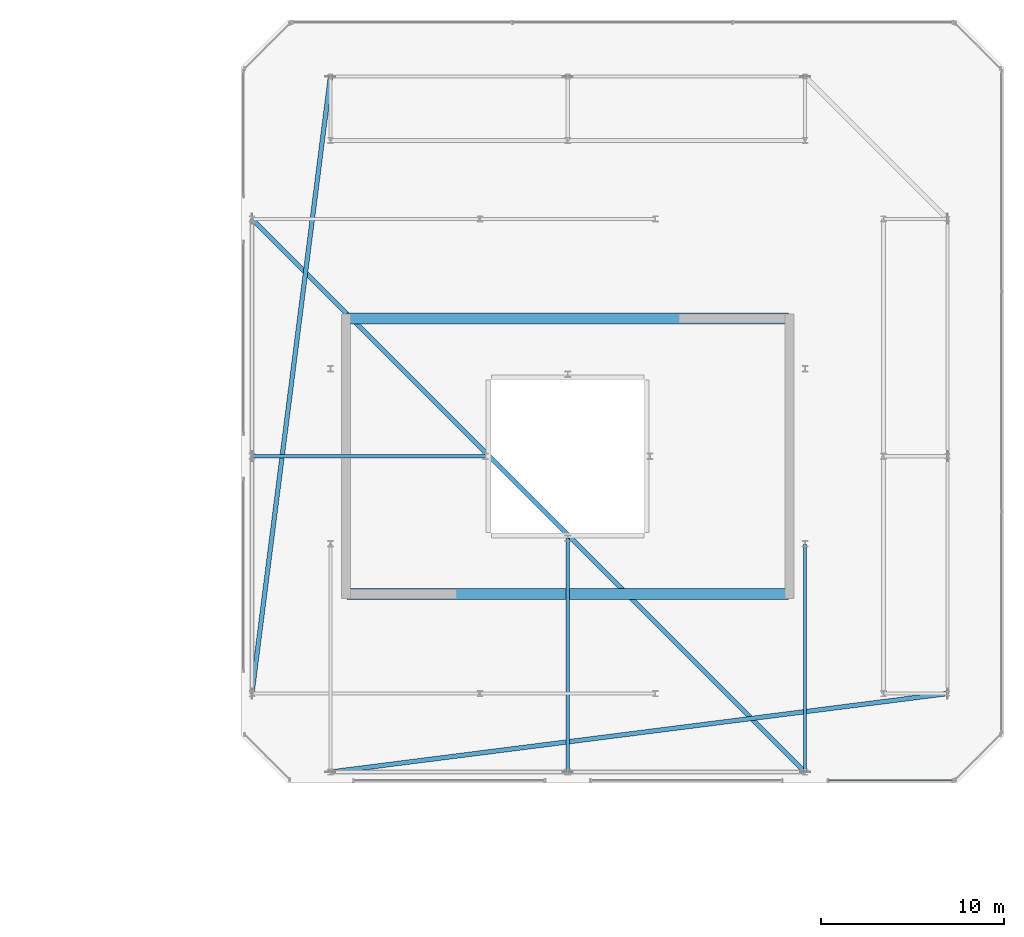
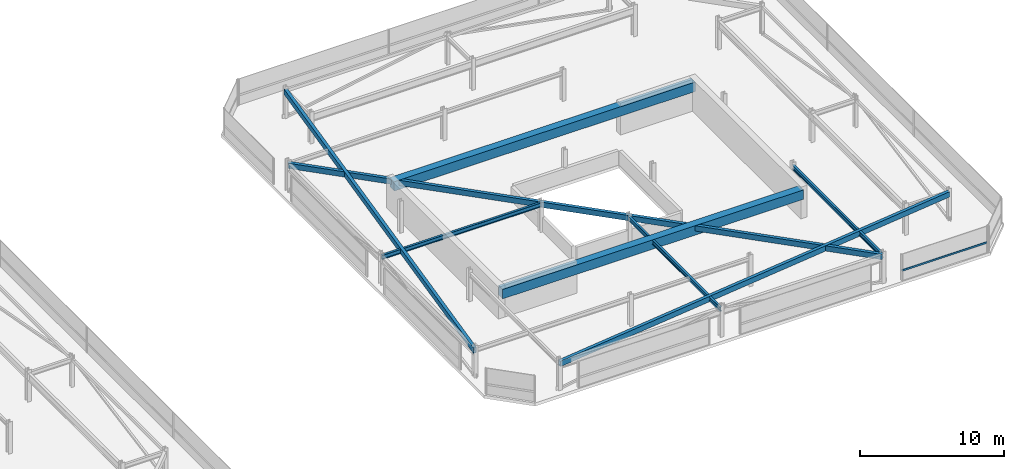
# One storey, part 32 of 44: 8 beams, 1 member, 1 element without a shape of its own.
"""IFC4 building model written with IfcOpenShell, lengths in metres."""

from ifc_helpers import new_model, si_unit, direction, frame, origin, origin_2d, place, context, subcontext, project, spatial, rectangle, hollow_rectangle, i_section, extrude, material, material_profile, profile_set, type_object, element, aggregate, save


model = new_model("IFC4")

# Units and contexts
model_context = context("Model", 3, precision=1e-05, world=origin(), true_north=direction((0.0, 1.0)))
body_context = subcontext(model_context, "Body", "Model", "MODEL_VIEW")
ifc_project = project(units=[si_unit("LENGTHUNIT", "METRE"), si_unit("AREAUNIT", "SQUARE_METRE"), si_unit("VOLUMEUNIT", "CUBIC_METRE"), si_unit("PLANEANGLEUNIT", "RADIAN"), si_unit("MASSUNIT", "GRAM", prefix="KILO")], contexts=[model_context])

# Site, building, storey
site_placement = place(None, origin())
site = spatial("IfcSite", under=ifc_project, at=site_placement, CompositionType="ELEMENT")
building_placement = place(site_placement, origin())
building = spatial("IfcBuilding", under=site, at=building_placement, Name="Thornwick Lancets Civic Towers", CompositionType="ELEMENT")
storey_placement = place(building_placement, frame((0.0, 0.0, 294.89990234375)))
storey = spatial("IfcBuildingStorey", under=building, at=storey_placement, Name="C06", CompositionType="ELEMENT", Elevation=294.89990234375)

# Beams
ifc_material_1 = material(Name="Concrete C60/75", Category="concrete")
ifc_material_profile_1 = material_profile(ifc_material_1, rectangle(XDim=0.60009765625, YDim=0.800048828125, at=origin_2d()), Name="RC 600x800")
ifc_profile_set_1 = profile_set([ifc_material_profile_1], Name="Concrete C60/75")
beam_type_1 = type_object("IfcBeamType", Name="BM_COUP_RC800", PredefinedType="BEAM", material=ifc_profile_set_1)
for number, where, z_axis, x_axis, name in (
    (1, (76.39990234375, 34.550048828125, 2.0400390625), (1.0, 0.0, 0.0), (0.0, 1.0, 0.0), "CB-C06-B1"),
    (2, (76.39990234375, 19.449951171875, 2.0400390625), (1.0, 0.0, 0.0), (0.0, 1.0, 0.0), "CB-C06-B2"),
):
    element("IfcBeam", number, at=place(storey_placement, frame(where, z_axis=z_axis, x_axis=x_axis)), inside=storey, type_object=beam_type_1, Name=name, PredefinedType="BEAM", context=body_context, shape_type="SweptSolid", body=[
        extrude(rectangle(XDim=0.60009765625, YDim=0.800048828125, at=origin_2d()), origin(), (0.0, 0.0, 1.0), 24.2001953125),
    ])
ifc_material_2 = material(Name="Steel S355JR", Category="steel")
ifc_material_profile_2 = material_profile(ifc_material_2, i_section(OverallWidth=0.173095703125, OverallDepth=0.36328125, WebThickness=0.009033203125, FlangeThickness=0.015625, FilletRadius=0.01025390625, at=origin_2d()), Name="UKB 356x171x67")
ifc_profile_set_2 = profile_set([ifc_material_profile_2], Name="Steel S355JR")
beam_type_2 = type_object("IfcBeamType", Name="BM_JOIST_356_67", PredefinedType="JOIST", material=ifc_profile_set_2)
beam_1_placement = place(storey_placement, frame((84.0, 27.0, 2.25830078125), z_axis=(-1.0, 0.0, 0.0), x_axis=(0.0, -1.0, 0.0)))
element("IfcBeam", 3, at=beam_1_placement, inside=storey, type_object=beam_type_2, Name="BM-RADIN-C06-B08", PredefinedType="JOIST", context=body_context, shape_type="SweptSolid", body=[
    extrude(i_section(OverallWidth=0.173095703125, OverallDepth=0.36328125, WebThickness=0.009033203125, FlangeThickness=0.015625, FilletRadius=0.01025390625, at=origin_2d()), origin(), (0.0, 0.0, 1.0), 12.800048828125),
])
beam_2_placement = place(storey_placement, frame((101.5, 22.199951171875, 2.25830078125), z_axis=(0.0, -1.0, 0.0), x_axis=(1.0, 0.0, 0.0)))
element("IfcBeam", 4, at=beam_2_placement, inside=storey, type_object=beam_type_2, Name="BM-RADIN-C06-B10", PredefinedType="JOIST", context=body_context, shape_type="SweptSolid", body=[
    extrude(i_section(OverallWidth=0.173095703125, OverallDepth=0.36328125, WebThickness=0.009033203125, FlangeThickness=0.015625, FilletRadius=0.01025390625, at=origin_2d()), origin(), (0.0, 0.0, 1.0), 12.5),
])
beam_3_placement = place(storey_placement, frame((88.5, 22.5, 2.25830078125), z_axis=(0.0, -1.0, 0.0), x_axis=(1.0, 0.0, 0.0)))
element("IfcBeam", 5, at=beam_3_placement, inside=storey, type_object=beam_type_2, Name="BM-RADIN-C06-B11", PredefinedType="JOIST", context=body_context, shape_type="SweptSolid", body=[
    extrude(i_section(OverallWidth=0.173095703125, OverallDepth=0.36328125, WebThickness=0.009033203125, FlangeThickness=0.015625, FilletRadius=0.01025390625, at=origin_2d()), origin(), (0.0, 0.0, 1.0), 12.800048828125),
])
ifc_material_profile_3 = material_profile(ifc_material_2, hollow_rectangle(XDim=0.25, YDim=0.449951171875, WallThickness=0.01611328125, at=origin_2d()), Name="RHS 450x250x16")
ifc_profile_set_3 = profile_set([ifc_material_profile_3], Name="Steel S355JR")
beam_type_3 = type_object("IfcBeamType", Name="BM_RING_RHS450", PredefinedType="BEAM", material=ifc_profile_set_3)
beam_4_placement = place(storey_placement, frame((75.5, 47.800048828125, 2.215087890625), z_axis=(-0.126202998662, -0.992004437051, 0.0), x_axis=(0.992004437051, -0.126202998662, 0.0)))
element("IfcBeam", 6, at=beam_4_placement, inside=storey, type_object=beam_type_3, Name="BM-CHAMF-C06-B-C1", PredefinedType="BEAM", context=body_context, shape_type="SweptSolid", body=[
    extrude(hollow_rectangle(XDim=0.25, YDim=0.449951171875, WallThickness=0.01611328125, at=origin_2d()), origin(), (0.0, 0.0, 1.0), 34.072509765625),
])
beam_5_placement = place(storey_placement, frame((71.199951171875, 40.0, 2.215087890625), z_axis=(0.707106781187, -0.707106781187, 0.0), x_axis=(0.707106781187, 0.707106781187, 0.0)))
element("IfcBeam", 7, at=beam_5_placement, inside=storey, type_object=beam_type_3, Name="BM-CHAMF-C06-B-C2", PredefinedType="BEAM", context=body_context, shape_type="SweptSolid", body=[
    extrude(hollow_rectangle(XDim=0.25, YDim=0.449951171875, WallThickness=0.01611328125, at=origin_2d()), origin(), (0.0, 0.0, 1.0), 42.850830078125),
])
beam_6_placement = place(storey_placement, frame((75.5, 9.699951171875, 2.215087890625), z_axis=(0.992004437051, 0.126202998662, 0.0), x_axis=(-0.126202998662, 0.992004437051, 0.0)))
element("IfcBeam", 8, at=beam_6_placement, inside=storey, type_object=beam_type_3, Name="BM-CHAMF-C06-B-C3", PredefinedType="BEAM", context=body_context, shape_type="SweptSolid", body=[
    extrude(hollow_rectangle(XDim=0.25, YDim=0.449951171875, WallThickness=0.01611328125, at=origin_2d()), origin(), (0.0, 0.0, 1.0), 34.072509765625),
])

# Curtain wall, member
ifc_material_3 = material(Name="Crown ring acoustic-louvre and glazing screen wall", Category="glass")
curtain_wall_type = type_object("IfcCurtainWallType", Name="CW_SYS_07", PredefinedType="NOTDEFINED", material=ifc_material_3)
curtain_wall_placement = place(storey_placement, origin())
curtain_wall = element("IfcCurtainWall", 9, at=curtain_wall_placement, inside=storey, type_object=curtain_wall_type, Name="C06 Curtain Wall CW-C06-B-E0-S3", PredefinedType="NOTDEFINED")
ifc_material_4 = material(Name="Thermally broken bronze aluminium S355", Category="steel")
ifc_material_profile_4 = material_profile(ifc_material_4, hollow_rectangle(XDim=0.074951171875, YDim=0.14990234375, WallThickness=0.0048828125, at=origin_2d()), Name="RHS 150x75x5")
ifc_profile_set_4 = profile_set([ifc_material_profile_4], Name="Thermally broken bronze aluminium S355")
member_type = type_object("IfcMemberType", Name="CW_TRN_150", PredefinedType="USERDEFINED", material=ifc_profile_set_4)
member_placement = place(storey_placement, frame((102.77001953125, 9.2353515625, 0.85009765625), z_axis=(1.0, 0.0, 0.0), x_axis=(0.0, 1.0, 0.0)))
member = element("IfcMember", 10, at=member_placement, type_object=member_type, Name="CW-C06-B-E0-S3 Transom 0", ObjectType="TRANSOM", PredefinedType="USERDEFINED", context=body_context, shape_type="SweptSolid", body=[
    extrude(hollow_rectangle(XDim=0.074951171875, YDim=0.14990234375, WallThickness=0.0048828125, at=origin_2d()), origin(), (0.0, 0.0, 1.0), 6.811279296875),
])
aggregate(curtain_wall, [member])

save(model, "model.ifc")
